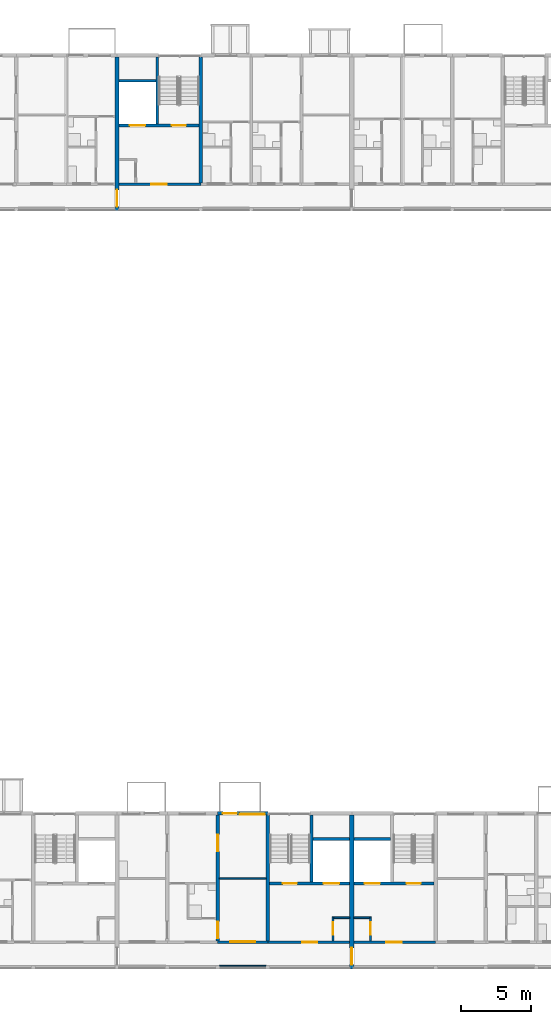
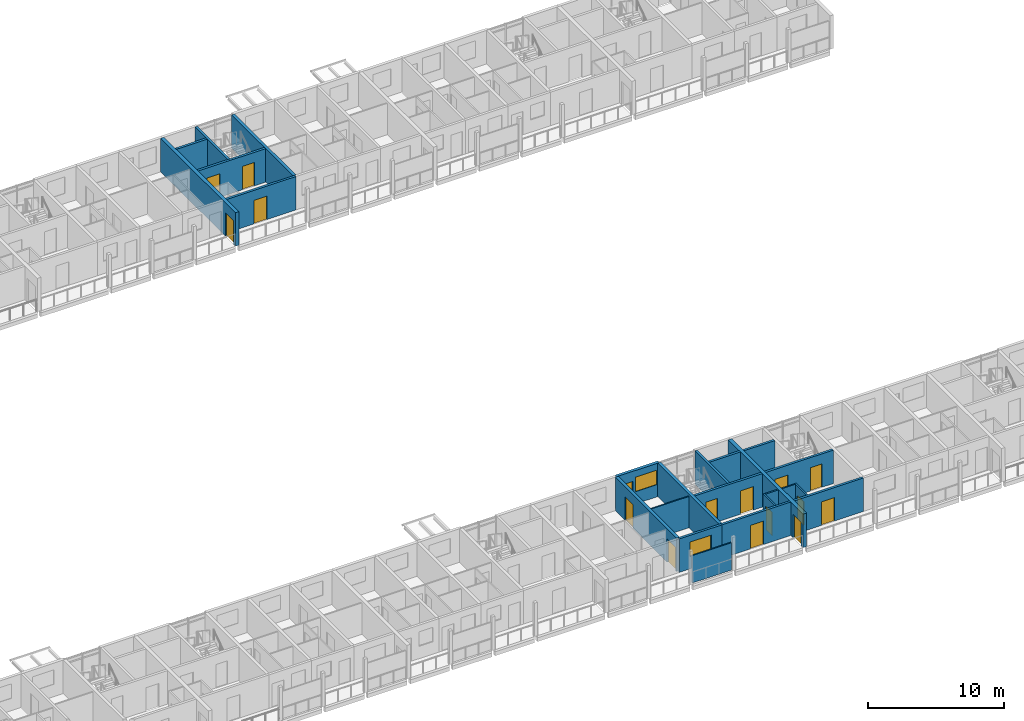
# One storey, part 54 of 100: 24 walls, 16 doors, 2 windows, 18 openings.
"""IFC4 building model written with IfcOpenShell, lengths in metres."""

from ifc_helpers import new_model, si_unit, direction, frame, frame_2d, origin, place, context, subcontext, project, spatial, rectangle, extrude, material, layer, layer_set, type_object, element, fill, save


model = new_model("IFC4")

# Units and contexts
model_context = context("Model", 3, precision=1e-05, world=origin(), true_north=direction((0.0, 1.0)))
body_context = subcontext(model_context, "Body", "Model", "MODEL_VIEW")
ifc_project = project(units=[si_unit("LENGTHUNIT", "METRE"), si_unit("AREAUNIT", "SQUARE_METRE"), si_unit("VOLUMEUNIT", "CUBIC_METRE"), si_unit("PLANEANGLEUNIT", "RADIAN"), si_unit("MASSUNIT", "GRAM", prefix="KILO")], contexts=[model_context])

# Site, building, storey
site_placement = place(None, origin())
site = spatial("IfcSite", under=ifc_project, at=site_placement, CompositionType="ELEMENT")
building_placement = place(site_placement, origin())
building = spatial("IfcBuilding", under=site, at=building_placement, Name="Ridgestep Commons", CompositionType="ELEMENT")
storey_placement = place(building_placement, frame((0.0, 0.0, 9.0)))
storey = spatial("IfcBuildingStorey", under=building, at=storey_placement, Name="L03", CompositionType="ELEMENT", Elevation=9.0)

# Walls
ifc_material_1 = material(Name="Concrete C30/37", Category="concrete")
ifc_layer_1 = layer(ifc_material_1, 0.25)
ifc_layer_set_1 = layer_set([ifc_layer_1], Name="Core cross wall 250")
wall_type_1 = type_object("IfcWallType", Name="Core cross wall 250", PredefinedType="SHEAR", material=ifc_layer_set_1)
for number, where, z_axis, x_axis, name in (
    (1, (203.199951171875, 68.0, 0.0), (0.0, 0.0, 1.0), (0.0, 1.0, 0.0), "Cross wall C-03-2032"),
    (2, (208.0, 13.75, 0.0), (0.0, 0.0, 1.0), (0.0, 1.0, 0.0), "Cross wall D-03-2080"),
):
    element("IfcWall", number, at=place(storey_placement, frame(where, z_axis=z_axis, x_axis=x_axis)), inside=storey, type_object=wall_type_1, Name=name, PredefinedType="SHEAR", context=body_context, shape_type="SweptSolid", body=[
        extrude(rectangle(XDim=9.0, YDim=0.25, at=frame_2d((4.5, 0.0))), origin(), (0.0, 0.0, 1.0), 3.0),
    ])

# Wall, opening, door
ifc_material_2 = material(Name="Concrete C30/37", Category="concrete")
ifc_layer_2 = layer(ifc_material_2, 0.199951171875)
ifc_layer_set_2 = layer_set([ifc_layer_2], Name="Core south wall 200")
wall_type_2 = type_object("IfcWallType", Name="Core south wall 200", PredefinedType="SHEAR", material=ifc_layer_set_2)
wall_1_placement = place(storey_placement, frame((197.35009765625, 67.89990234375, 0.0), z_axis=(0.0, 0.0, 1.0), x_axis=(1.0, 0.0, 0.0)))
wall_1 = element("IfcWall", 3, at=wall_1_placement, inside=storey, type_object=wall_type_2, Name="Core south wall C4C L03", PredefinedType="SHEAR", context=body_context, shape_type="SweptSolid", body=[
    extrude(rectangle(XDim=5.849853515625, YDim=0.199951171875, at=frame_2d((2.9248046875, 0.0))), origin(), (0.0, 0.0, 1.0), 3.0),
])
opening_1_placement = place(wall_1_placement, frame((2.3125, 0.0, 0.0)))
opening_1 = element("IfcOpeningElement", 4, at=opening_1_placement, cuts=wall_1, Name="Opening C4C/03/1", PredefinedType="OPENING", context=body_context, shape_type="SweptSolid", body=[
    extrude(rectangle(XDim=1.10009765625, YDim=2.10009765625, at=frame_2d((0.550048828125, 1.050048828125))), frame((0.0, 0.10986328125, 0.0), z_axis=(0.0, -1.0, 0.0), x_axis=(1.0, 0.0, 0.0)), (0.0, 0.0, 1.0), 0.219970703125),
])
ifc_material_3 = material(Name="Steel fire door", Category="steel")
door_type_1 = type_object("IfcDoorType", Name="Lobby door 1100 x 2100 FD60", OperationType="NOTDEFINED", PredefinedType="DOOR", material=ifc_material_3)
door_1_placement = place(opening_1_placement, origin())
door_1 = element("IfcDoor", 5, at=door_1_placement, inside=storey, type_object=door_type_1, Name="Lobby door C4C/03/1", OperationType="SINGLE_SWING_LEFT", OverallHeight=2.10009765625, OverallWidth=1.10009765625, PredefinedType="DOOR", context=body_context, shape_type="SweptSolid", body=[
    extrude(rectangle(XDim=1.10009765625, YDim=2.10009765625, at=frame_2d((0.550048828125, 1.050048828125))), frame((0.0, 0.02490234375, 0.0), z_axis=(0.0, -1.0, 0.0), x_axis=(1.0, 0.0, 0.0)), (0.0, 0.0, 1.0), 0.050048828125),
])
fill(opening_1, door_1)

wall_2_placement = place(storey_placement, frame((208.0, 13.64990234375, 0.0), z_axis=(0.0, 0.0, 1.0), x_axis=(1.0, 0.0, 0.0)))
wall_2 = element("IfcWall", 6, at=wall_2_placement, inside=storey, type_object=wall_type_2, Name="Core south wall D4C L03", PredefinedType="SHEAR", context=body_context, shape_type="SweptSolid", body=[
    extrude(rectangle(XDim=5.85009765625, YDim=0.199951171875, at=frame_2d((2.925048828125, 0.0))), origin(), (0.0, 0.0, 1.0), 3.0),
])
opening_2_placement = place(wall_2_placement, frame((2.4375, 0.0, 0.0)))
opening_2 = element("IfcOpeningElement", 7, at=opening_2_placement, cuts=wall_2, Name="Opening D4C/03/1", PredefinedType="OPENING", context=body_context, shape_type="SweptSolid", body=[
    extrude(rectangle(XDim=1.10009765625, YDim=2.10009765625, at=frame_2d((0.550048828125, 1.050048828125))), frame((0.0, 0.10986328125, 0.0), z_axis=(0.0, -1.0, 0.0), x_axis=(1.0, 0.0, 0.0)), (0.0, 0.0, 1.0), 0.219970703125),
])
door_2_placement = place(opening_2_placement, origin())
door_2 = element("IfcDoor", 8, at=door_2_placement, inside=storey, type_object=door_type_1, Name="Lobby door D4C/03/1", OperationType="SINGLE_SWING_LEFT", OverallHeight=2.10009765625, OverallWidth=1.10009765625, PredefinedType="DOOR", context=body_context, shape_type="SweptSolid", body=[
    extrude(rectangle(XDim=1.10009765625, YDim=2.10009765625, at=frame_2d((0.550048828125, 1.050048828125))), frame((0.0, 0.02490234375, 0.0), z_axis=(0.0, -1.0, 0.0), x_axis=(1.0, 0.0, 0.0)), (0.0, 0.0, 1.0), 0.050048828125),
])
fill(opening_2, door_2)

wall_3_placement = place(storey_placement, frame((214.14990234375, 13.64990234375, 0.0), z_axis=(0.0, 0.0, 1.0), x_axis=(1.0, 0.0, 0.0)))
wall_3 = element("IfcWall", 9, at=wall_3_placement, inside=storey, type_object=wall_type_2, Name="Core south wall D5C L03", PredefinedType="SHEAR", context=body_context, shape_type="SweptSolid", body=[
    extrude(rectangle(XDim=5.85009765625, YDim=0.199951171875, at=frame_2d((2.925048828125, 0.0))), origin(), (0.0, 0.0, 1.0), 3.0),
])
opening_3_placement = place(wall_3_placement, frame((2.3125, 0.0, 0.0)))
opening_3 = element("IfcOpeningElement", 10, at=opening_3_placement, cuts=wall_3, Name="Opening D5C/03/1", PredefinedType="OPENING", context=body_context, shape_type="SweptSolid", body=[
    extrude(rectangle(XDim=1.10009765625, YDim=2.10009765625, at=frame_2d((0.550048828125, 1.050048828125))), frame((0.0, 0.10986328125, 0.0), z_axis=(0.0, -1.0, 0.0), x_axis=(1.0, 0.0, 0.0)), (0.0, 0.0, 1.0), 0.219970703125),
])
door_3_placement = place(opening_3_placement, origin())
door_3 = element("IfcDoor", 11, at=door_3_placement, inside=storey, type_object=door_type_1, Name="Lobby door D5C/03/1", OperationType="SINGLE_SWING_LEFT", OverallHeight=2.10009765625, OverallWidth=1.10009765625, PredefinedType="DOOR", context=body_context, shape_type="SweptSolid", body=[
    extrude(rectangle(XDim=1.10009765625, YDim=2.10009765625, at=frame_2d((0.550048828125, 1.050048828125))), frame((0.0, 0.02490234375, 0.0), z_axis=(0.0, -1.0, 0.0), x_axis=(1.0, 0.0, 0.0)), (0.0, 0.0, 1.0), 0.050048828125),
])
fill(opening_3, door_3)

ifc_material_4 = material(Name="Concrete C30/37", Category="concrete")
ifc_layer_3 = layer(ifc_material_4, 0.1201171875)
ifc_layer_set_3 = layer_set([ifc_layer_3], Name="Core wall 120")
wall_type_3 = type_object("IfcWallType", Name="Core wall 120", PredefinedType="SHEAR", material=ifc_layer_set_3)
wall_4_placement = place(storey_placement, frame((212.659912109375, 13.75, 0.0), z_axis=(0.0, 0.0, 1.0), x_axis=(0.0, 1.0, 0.0)))
wall_4 = element("IfcWall", 12, at=wall_4_placement, inside=storey, type_object=wall_type_3, Name="Core riser w wall D4C L03", PredefinedType="SHEAR", context=body_context, shape_type="SweptSolid", body=[
    extrude(rectangle(XDim=1.719970703125, YDim=0.1201171875, at=frame_2d((0.85986328125, 0.0))), origin(), (0.0, 0.0, 1.0), 3.0),
])
opening_4_placement = place(wall_4_placement, frame((0.449951171875, 0.0, 0.0)))
opening_4 = element("IfcOpeningElement", 13, at=opening_4_placement, cuts=wall_4, Name="Opening D4C/03/4", PredefinedType="OPENING", context=body_context, shape_type="SweptSolid", body=[
    extrude(rectangle(XDim=0.89990234375, YDim=2.10009765625, at=frame_2d((0.449951171875, 1.050048828125))), frame((0.0, 0.070068359375, 0.0), z_axis=(0.0, -1.0, 0.0), x_axis=(1.0, 0.0, 0.0)), (0.0, 0.0, 1.0), 0.14013671875),
])
ifc_material_5 = material(Name="Steel fire door", Category="steel")
door_type_2 = type_object("IfcDoorType", Name="Riser door 900 x 2100 FD60", OperationType="NOTDEFINED", PredefinedType="DOOR", material=ifc_material_5)
door_4_placement = place(opening_4_placement, origin())
door_4 = element("IfcDoor", 14, at=door_4_placement, inside=storey, type_object=door_type_2, Name="Riser door D4C/03/4", OperationType="SINGLE_SWING_LEFT", OverallHeight=2.10009765625, OverallWidth=0.89990234375, PredefinedType="DOOR", context=body_context, shape_type="SweptSolid", body=[
    extrude(rectangle(XDim=0.89990234375, YDim=2.10009765625, at=frame_2d((0.449951171875, 1.050048828125))), frame((0.0, 0.02490234375, 0.0), z_axis=(0.0, -1.0, 0.0), x_axis=(1.0, 0.0, 0.0)), (0.0, 0.0, 1.0), 0.050048828125),
])
fill(opening_4, door_4)

# Wall
wall_5_placement = place(storey_placement, frame((212.719970703125, 15.409912109375, 0.0), z_axis=(0.0, 0.0, 1.0), x_axis=(1.0, 0.0, 0.0)))
element("IfcWall", 15, at=wall_5_placement, inside=storey, type_object=wall_type_3, Name="Core riser n wall D4C L03", PredefinedType="SHEAR", context=body_context, shape_type="SweptSolid", body=[
    extrude(rectangle(XDim=1.130126953125, YDim=0.1201171875, at=frame_2d((0.56494140625, 0.0))), origin(), (0.0, 0.0, 1.0), 3.0),
])

# Wall, opening, door
wall_6_placement = place(storey_placement, frame((215.340087890625, 13.75, 0.0), z_axis=(0.0, 0.0, 1.0), x_axis=(0.0, 1.0, 0.0)))
wall_6 = element("IfcWall", 16, at=wall_6_placement, inside=storey, type_object=wall_type_3, Name="Core riser w wall D5C L03", PredefinedType="SHEAR", context=body_context, shape_type="SweptSolid", body=[
    extrude(rectangle(XDim=1.719970703125, YDim=0.1201171875, at=frame_2d((0.85986328125, 0.0))), origin(), (0.0, 0.0, 1.0), 3.0),
])
opening_5_placement = place(wall_6_placement, frame((0.449951171875, 0.0, 0.0)))
opening_5 = element("IfcOpeningElement", 17, at=opening_5_placement, cuts=wall_6, Name="Opening D5C/03/4", PredefinedType="OPENING", context=body_context, shape_type="SweptSolid", body=[
    extrude(rectangle(XDim=0.89990234375, YDim=2.10009765625, at=frame_2d((0.449951171875, 1.050048828125))), frame((0.0, 0.070068359375, 0.0), z_axis=(0.0, -1.0, 0.0), x_axis=(1.0, 0.0, 0.0)), (0.0, 0.0, 1.0), 0.14013671875),
])
door_5_placement = place(opening_5_placement, origin())
door_5 = element("IfcDoor", 18, at=door_5_placement, inside=storey, type_object=door_type_2, Name="Riser door D5C/03/4", OperationType="SINGLE_SWING_RIGHT", OverallHeight=2.10009765625, OverallWidth=0.89990234375, PredefinedType="DOOR", context=body_context, shape_type="SweptSolid", body=[
    extrude(rectangle(XDim=0.89990234375, YDim=2.10009765625, at=frame_2d((0.449951171875, 1.050048828125))), frame((0.0, 0.02490234375, 0.0), z_axis=(0.0, -1.0, 0.0), x_axis=(1.0, 0.0, 0.0)), (0.0, 0.0, 1.0), 0.050048828125),
])
fill(opening_5, door_5)

# Wall
wall_7_placement = place(storey_placement, frame((214.14990234375, 15.409912109375, 0.0), z_axis=(0.0, 0.0, 1.0), x_axis=(1.0, 0.0, 0.0)))
element("IfcWall", 19, at=wall_7_placement, inside=storey, type_object=wall_type_3, Name="Core riser n wall D5C L03", PredefinedType="SHEAR", context=body_context, shape_type="SweptSolid", body=[
    extrude(rectangle(XDim=1.130126953125, YDim=0.1201171875, at=frame_2d((0.56494140625, 0.0))), origin(), (0.0, 0.0, 1.0), 3.0),
])

# Wall, openings, doors
ifc_material_6 = material(Name="Concrete C30/37", Category="concrete")
ifc_layer_4 = layer(ifc_material_6, 0.199951171875)
ifc_layer_set_4 = layer_set([ifc_layer_4], Name="Core wall 200")
wall_type_4 = type_object("IfcWallType", Name="Core wall 200", PredefinedType="SHEAR", material=ifc_layer_set_4)
wall_8_placement = place(storey_placement, frame((197.35009765625, 72.10009765625, 0.0), z_axis=(0.0, 0.0, 1.0), x_axis=(1.0, 0.0, 0.0)))
wall_8 = element("IfcWall", 20, at=wall_8_placement, inside=storey, type_object=wall_type_4, Name="Core lobby wall C4C L03", PredefinedType="SHEAR", context=body_context, shape_type="SweptSolid", body=[
    extrude(rectangle(XDim=5.724853515625, YDim=0.199951171875, at=frame_2d((2.8623046875, 0.0))), origin(), (0.0, 0.0, 1.0), 3.0),
])
opening_6_placement = place(wall_8_placement, frame((3.77490234375, 0.0, 0.0)))
opening_6 = element("IfcOpeningElement", 21, at=opening_6_placement, cuts=wall_8, Name="Opening C4C/03/2", PredefinedType="OPENING", context=body_context, shape_type="SweptSolid", body=[
    extrude(rectangle(XDim=1.0, YDim=2.10009765625, at=frame_2d((0.5, 1.050048828125))), frame((0.0, 0.10986328125, 0.0), z_axis=(0.0, -1.0, 0.0), x_axis=(1.0, 0.0, 0.0)), (0.0, 0.0, 1.0), 0.219970703125),
])
opening_7_placement = place(wall_8_placement, frame((0.762451171875, 0.0, 0.0)))
opening_7 = element("IfcOpeningElement", 22, at=opening_7_placement, cuts=wall_8, Name="Opening C4C/03/3", PredefinedType="OPENING", context=body_context, shape_type="SweptSolid", body=[
    extrude(rectangle(XDim=1.10009765625, YDim=2.10009765625, at=frame_2d((0.550048828125, 1.050048828125))), frame((0.0, 0.10986328125, 0.0), z_axis=(0.0, -1.0, 0.0), x_axis=(1.0, 0.0, 0.0)), (0.0, 0.0, 1.0), 0.219970703125),
])
ifc_material_7 = material(Name="Stainless steel", Category="steel")
door_type_3 = type_object("IfcDoorType", Name="Lift landing door 1100 x 2100 FD60", OperationType="DOUBLE_DOOR_SLIDING", PredefinedType="DOOR", material=ifc_material_7)
door_6_placement = place(opening_7_placement, origin())
door_6 = element("IfcDoor", 23, at=door_6_placement, inside=storey, type_object=door_type_3, Name="Landing door LD C4C L03", OperationType="DOUBLE_DOOR_SLIDING", OverallHeight=2.10009765625, OverallWidth=1.10009765625, PredefinedType="DOOR", context=body_context, shape_type="SweptSolid", body=[
    extrude(rectangle(XDim=1.10009765625, YDim=2.10009765625, at=frame_2d((0.550048828125, 1.050048828125))), frame((0.0, 0.02490234375, 0.0), z_axis=(0.0, -1.0, 0.0), x_axis=(1.0, 0.0, 0.0)), (0.0, 0.0, 1.0), 0.050048828125),
])
fill(opening_7, door_6)
ifc_material_8 = material(Name="Steel fire door", Category="steel")
door_type_4 = type_object("IfcDoorType", Name="Stair door 1000 x 2100 FD60", OperationType="NOTDEFINED", PredefinedType="DOOR", material=ifc_material_8)
door_7_placement = place(opening_6_placement, origin())
door_7 = element("IfcDoor", 24, at=door_7_placement, inside=storey, type_object=door_type_4, Name="Stair door C4C/03/2", OperationType="SINGLE_SWING_RIGHT", OverallHeight=2.10009765625, OverallWidth=1.0, PredefinedType="DOOR", context=body_context, shape_type="SweptSolid", body=[
    extrude(rectangle(XDim=1.0, YDim=2.10009765625, at=frame_2d((0.5, 1.050048828125))), frame((0.0, 0.02490234375, 0.0), z_axis=(0.0, -1.0, 0.0), x_axis=(1.0, 0.0, 0.0)), (0.0, 0.0, 1.0), 0.050048828125),
])
fill(opening_6, door_7)

# Walls
wall_9_placement = place(storey_placement, frame((200.074951171875, 72.199951171875, 0.0), z_axis=(0.0, 0.0, 1.0), x_axis=(0.0, 1.0, 0.0)))
element("IfcWall", 25, at=wall_9_placement, inside=storey, type_object=wall_type_4, Name="Core stair wall C4C L03", PredefinedType="SHEAR", context=body_context, shape_type="SweptSolid", body=[
    extrude(rectangle(XDim=4.800048828125, YDim=0.199951171875, at=frame_2d((2.39990234375, 0.0))), origin(), (0.0, 0.0, 1.0), 3.0),
])
wall_10_placement = place(storey_placement, frame((197.35009765625, 75.300048828125, 0.0), z_axis=(0.0, 0.0, 1.0), x_axis=(1.0, 0.0, 0.0)))
element("IfcWall", 26, at=wall_10_placement, inside=storey, type_object=wall_type_4, Name="Core duct wall C4C L03", PredefinedType="SHEAR", context=body_context, shape_type="SweptSolid", body=[
    extrude(rectangle(XDim=2.625, YDim=0.199951171875, at=frame_2d((1.3125, 0.0))), origin(), (0.0, 0.0, 1.0), 3.0),
])

# Wall, openings, doors
wall_11_placement = place(storey_placement, frame((208.125, 17.85009765625, 0.0), z_axis=(0.0, 0.0, 1.0), x_axis=(1.0, 0.0, 0.0)))
wall_11 = element("IfcWall", 27, at=wall_11_placement, inside=storey, type_object=wall_type_4, Name="Core lobby wall D4C L03", PredefinedType="SHEAR", context=body_context, shape_type="SweptSolid", body=[
    extrude(rectangle(XDim=5.72509765625, YDim=0.199951171875, at=frame_2d((2.862548828125, 0.0))), origin(), (0.0, 0.0, 1.0), 3.0),
])
opening_8_placement = place(wall_11_placement, frame((0.949951171875, 0.0, 0.0)))
opening_8 = element("IfcOpeningElement", 28, at=opening_8_placement, cuts=wall_11, Name="Opening D4C/03/2", PredefinedType="OPENING", context=body_context, shape_type="SweptSolid", body=[
    extrude(rectangle(XDim=1.0, YDim=2.10009765625, at=frame_2d((0.5, 1.050048828125))), frame((0.0, 0.10986328125, 0.0), z_axis=(0.0, -1.0, 0.0), x_axis=(1.0, 0.0, 0.0)), (0.0, 0.0, 1.0), 0.219970703125),
])
opening_9_placement = place(wall_11_placement, frame((3.862548828125, 0.0, 0.0)))
opening_9 = element("IfcOpeningElement", 29, at=opening_9_placement, cuts=wall_11, Name="Opening D4C/03/3", PredefinedType="OPENING", context=body_context, shape_type="SweptSolid", body=[
    extrude(rectangle(XDim=1.10009765625, YDim=2.10009765625, at=frame_2d((0.550048828125, 1.050048828125))), frame((0.0, 0.10986328125, 0.0), z_axis=(0.0, -1.0, 0.0), x_axis=(1.0, 0.0, 0.0)), (0.0, 0.0, 1.0), 0.219970703125),
])
door_8_placement = place(opening_9_placement, origin())
door_8 = element("IfcDoor", 30, at=door_8_placement, inside=storey, type_object=door_type_3, Name="Landing door LD D4C L03", OperationType="DOUBLE_DOOR_SLIDING", OverallHeight=2.10009765625, OverallWidth=1.10009765625, PredefinedType="DOOR", context=body_context, shape_type="SweptSolid", body=[
    extrude(rectangle(XDim=1.10009765625, YDim=2.10009765625, at=frame_2d((0.550048828125, 1.050048828125))), frame((0.0, 0.02490234375, 0.0), z_axis=(0.0, -1.0, 0.0), x_axis=(1.0, 0.0, 0.0)), (0.0, 0.0, 1.0), 0.050048828125),
])
fill(opening_9, door_8)
door_9_placement = place(opening_8_placement, origin())
door_9 = element("IfcDoor", 31, at=door_9_placement, inside=storey, type_object=door_type_4, Name="Stair door D4C/03/2", OperationType="SINGLE_SWING_RIGHT", OverallHeight=2.10009765625, OverallWidth=1.0, PredefinedType="DOOR", context=body_context, shape_type="SweptSolid", body=[
    extrude(rectangle(XDim=1.0, YDim=2.10009765625, at=frame_2d((0.5, 1.050048828125))), frame((0.0, 0.02490234375, 0.0), z_axis=(0.0, -1.0, 0.0), x_axis=(1.0, 0.0, 0.0)), (0.0, 0.0, 1.0), 0.050048828125),
])
fill(opening_8, door_9)

# Walls
wall_12_placement = place(storey_placement, frame((211.125, 17.949951171875, 0.0), z_axis=(0.0, 0.0, 1.0), x_axis=(0.0, 1.0, 0.0)))
element("IfcWall", 32, at=wall_12_placement, inside=storey, type_object=wall_type_4, Name="Core stair wall D4C L03", PredefinedType="SHEAR", context=body_context, shape_type="SweptSolid", body=[
    extrude(rectangle(XDim=4.800048828125, YDim=0.199951171875, at=frame_2d((2.39990234375, 0.0))), origin(), (0.0, 0.0, 1.0), 3.0),
])
wall_13_placement = place(storey_placement, frame((211.22509765625, 21.050048828125, 0.0), z_axis=(0.0, 0.0, 1.0), x_axis=(1.0, 0.0, 0.0)))
element("IfcWall", 33, at=wall_13_placement, inside=storey, type_object=wall_type_4, Name="Core duct wall D4C L03", PredefinedType="SHEAR", context=body_context, shape_type="SweptSolid", body=[
    extrude(rectangle(XDim=2.625, YDim=0.199951171875, at=frame_2d((1.3125, 0.0))), origin(), (0.0, 0.0, 1.0), 3.0),
])

# Wall, openings, doors
wall_14_placement = place(storey_placement, frame((214.14990234375, 17.85009765625, 0.0), z_axis=(0.0, 0.0, 1.0), x_axis=(1.0, 0.0, 0.0)))
wall_14 = element("IfcWall", 34, at=wall_14_placement, inside=storey, type_object=wall_type_4, Name="Core lobby wall D5C L03", PredefinedType="SHEAR", context=body_context, shape_type="SweptSolid", body=[
    extrude(rectangle(XDim=5.72509765625, YDim=0.199951171875, at=frame_2d((2.862548828125, 0.0))), origin(), (0.0, 0.0, 1.0), 3.0),
])
opening_10_placement = place(wall_14_placement, frame((3.77490234375, 0.0, 0.0)))
opening_10 = element("IfcOpeningElement", 35, at=opening_10_placement, cuts=wall_14, Name="Opening D5C/03/2", PredefinedType="OPENING", context=body_context, shape_type="SweptSolid", body=[
    extrude(rectangle(XDim=1.0, YDim=2.10009765625, at=frame_2d((0.5, 1.050048828125))), frame((0.0, 0.10986328125, 0.0), z_axis=(0.0, -1.0, 0.0), x_axis=(1.0, 0.0, 0.0)), (0.0, 0.0, 1.0), 0.219970703125),
])
opening_11_placement = place(wall_14_placement, frame((0.762451171875, 0.0, 0.0)))
opening_11 = element("IfcOpeningElement", 36, at=opening_11_placement, cuts=wall_14, Name="Opening D5C/03/3", PredefinedType="OPENING", context=body_context, shape_type="SweptSolid", body=[
    extrude(rectangle(XDim=1.10009765625, YDim=2.10009765625, at=frame_2d((0.550048828125, 1.050048828125))), frame((0.0, 0.10986328125, 0.0), z_axis=(0.0, -1.0, 0.0), x_axis=(1.0, 0.0, 0.0)), (0.0, 0.0, 1.0), 0.219970703125),
])
door_10_placement = place(opening_11_placement, origin())
door_10 = element("IfcDoor", 37, at=door_10_placement, inside=storey, type_object=door_type_3, Name="Landing door LD D5C L03", OperationType="DOUBLE_DOOR_SLIDING", OverallHeight=2.10009765625, OverallWidth=1.10009765625, PredefinedType="DOOR", context=body_context, shape_type="SweptSolid", body=[
    extrude(rectangle(XDim=1.10009765625, YDim=2.10009765625, at=frame_2d((0.550048828125, 1.050048828125))), frame((0.0, 0.02490234375, 0.0), z_axis=(0.0, -1.0, 0.0), x_axis=(1.0, 0.0, 0.0)), (0.0, 0.0, 1.0), 0.050048828125),
])
fill(opening_11, door_10)
door_11_placement = place(opening_10_placement, origin())
door_11 = element("IfcDoor", 38, at=door_11_placement, inside=storey, type_object=door_type_4, Name="Stair door D5C/03/2", OperationType="SINGLE_SWING_RIGHT", OverallHeight=2.10009765625, OverallWidth=1.0, PredefinedType="DOOR", context=body_context, shape_type="SweptSolid", body=[
    extrude(rectangle(XDim=1.0, YDim=2.10009765625, at=frame_2d((0.5, 1.050048828125))), frame((0.0, 0.02490234375, 0.0), z_axis=(0.0, -1.0, 0.0), x_axis=(1.0, 0.0, 0.0)), (0.0, 0.0, 1.0), 0.050048828125),
])
fill(opening_10, door_11)

# Wall
wall_15_placement = place(storey_placement, frame((214.14990234375, 21.050048828125, 0.0), z_axis=(0.0, 0.0, 1.0), x_axis=(1.0, 0.0, 0.0)))
element("IfcWall", 39, at=wall_15_placement, inside=storey, type_object=wall_type_4, Name="Core duct wall D5C L03", PredefinedType="SHEAR", context=body_context, shape_type="SweptSolid", body=[
    extrude(rectangle(XDim=2.625, YDim=0.199951171875, at=frame_2d((1.3125, 0.0))), origin(), (0.0, 0.0, 1.0), 3.0),
])

# Wall, openings, doors
ifc_material_9 = material(Name="Precast concrete C40/50", Category="concrete")
ifc_layer_5 = layer(ifc_material_9, 0.25)
ifc_layer_set_5 = layer_set([ifc_layer_5], Name="Cross wall 250")
wall_type_5 = type_object("IfcWallType", Name="Cross wall 250", PredefinedType="SHEAR", material=ifc_layer_set_5)
wall_16_placement = place(storey_placement, frame((204.39990234375, 13.75, 0.0), z_axis=(0.0, 0.0, 1.0), x_axis=(0.0, 1.0, 0.0)))
wall_16 = element("IfcWall", 40, at=wall_16_placement, inside=storey, type_object=wall_type_5, Name="Cross wall D-03-2044", PredefinedType="SHEAR", context=body_context, shape_type="SweptSolid", body=[
    extrude(rectangle(XDim=9.0, YDim=0.25, at=frame_2d((4.5, 0.0))), origin(), (0.0, 0.0, 1.0), 3.0),
])
opening_12_placement = place(wall_16_placement, frame((0.175048828125, 0.0, 0.0)))
opening_12 = element("IfcOpeningElement", 41, at=opening_12_placement, cuts=wall_16, Name="Opening D4-03a/6", PredefinedType="OPENING", context=body_context, shape_type="SweptSolid", body=[
    extrude(rectangle(XDim=1.199951171875, YDim=2.10009765625, at=frame_2d((0.60009765625, 1.050048828125))), frame((0.0, 0.135009765625, 0.0), z_axis=(0.0, -1.0, 0.0), x_axis=(1.0, 0.0, 0.0)), (0.0, 0.0, 1.0), 0.27001953125),
])
opening_13_placement = place(wall_16_placement, frame((6.39990234375, 0.0, 0.0)))
opening_13 = element("IfcOpeningElement", 42, at=opening_13_placement, cuts=wall_16, Name="Opening D4-03a/7", PredefinedType="OPENING", context=body_context, shape_type="SweptSolid", body=[
    extrude(rectangle(XDim=1.199951171875, YDim=2.10009765625, at=frame_2d((0.60009765625, 1.050048828125))), frame((0.0, 0.135009765625, 0.0), z_axis=(0.0, -1.0, 0.0), x_axis=(1.0, 0.0, 0.0)), (0.0, 0.0, 1.0), 0.27001953125),
])
ifc_material_10 = material(Name="Timber door leaf", Category="wood")
door_type_5 = type_object("IfcDoorType", Name="Double door 1200 x 2100", OperationType="DOUBLE_DOOR_SINGLE_SWING", PredefinedType="DOOR", material=ifc_material_10)
door_12_placement = place(opening_12_placement, origin())
door_12 = element("IfcDoor", 43, at=door_12_placement, inside=storey, type_object=door_type_5, Name="Double door D4-03a/6", OperationType="DOUBLE_DOOR_SINGLE_SWING", OverallHeight=2.10009765625, OverallWidth=1.199951171875, PredefinedType="DOOR", context=body_context, shape_type="SweptSolid", body=[
    extrude(rectangle(XDim=1.199951171875, YDim=2.10009765625, at=frame_2d((0.60009765625, 1.050048828125))), frame((0.0, 0.02490234375, 0.0), z_axis=(0.0, -1.0, 0.0), x_axis=(1.0, 0.0, 0.0)), (0.0, 0.0, 1.0), 0.050048828125),
])
fill(opening_12, door_12)
door_13_placement = place(opening_13_placement, origin())
door_13 = element("IfcDoor", 44, at=door_13_placement, inside=storey, type_object=door_type_5, Name="Double door D4-03a/7", OperationType="DOUBLE_DOOR_SINGLE_SWING", OverallHeight=2.10009765625, OverallWidth=1.199951171875, PredefinedType="DOOR", context=body_context, shape_type="SweptSolid", body=[
    extrude(rectangle(XDim=1.199951171875, YDim=2.10009765625, at=frame_2d((0.60009765625, 1.050048828125))), frame((0.0, 0.02490234375, 0.0), z_axis=(0.0, -1.0, 0.0), x_axis=(1.0, 0.0, 0.0)), (0.0, 0.0, 1.0), 0.050048828125),
])
fill(opening_13, door_13)

# Wall, opening, door
ifc_material_11 = material(Name="Precast concrete C40/50", Category="concrete")
ifc_layer_6 = layer(ifc_material_11, 0.300048828125)
ifc_layer_set_6 = layer_set([ifc_layer_6], Name="Division wall 300")
wall_type_6 = type_object("IfcWallType", Name="Division wall 300", PredefinedType="SHEAR", material=ifc_layer_set_6)
wall_17_placement = place(storey_placement, frame((197.199951171875, 66.0, 0.0), z_axis=(0.0, 0.0, 1.0), x_axis=(0.0, 1.0, 0.0)))
wall_17 = element("IfcWall", 45, at=wall_17_placement, inside=storey, type_object=wall_type_6, Name="Cross wall C-03-1972", PredefinedType="SHEAR", context=body_context, shape_type="SweptSolid", body=[
    extrude(rectangle(XDim=11.0, YDim=0.300048828125, at=frame_2d((5.5, 0.0))), origin(), (0.0, 0.0, 1.0), 3.0),
])
opening_14_placement = place(wall_17_placement, frame((0.300048828125, 0.0, 0.0)))
opening_14 = element("IfcOpeningElement", 46, at=opening_14_placement, cuts=wall_17, Name="Opening C/03/G1972", PredefinedType="OPENING", context=body_context, shape_type="SweptSolid", body=[
    extrude(rectangle(XDim=1.199951171875, YDim=2.10009765625, at=frame_2d((0.60009765625, 1.050048828125))), frame((0.0, 0.159912109375, 0.0), z_axis=(0.0, -1.0, 0.0), x_axis=(1.0, 0.0, 0.0)), (0.0, 0.0, 1.0), 0.320068359375),
])
ifc_material_12 = material(Name="Steel fire door", Category="steel")
door_type_6 = type_object("IfcDoorType", Name="Division fire door 1200 x 2100 EI 240", OperationType="DOUBLE_DOOR_SINGLE_SWING", PredefinedType="DOOR", material=ifc_material_12)
door_14_placement = place(opening_14_placement, origin())
door_14 = element("IfcDoor", 47, at=door_14_placement, inside=storey, type_object=door_type_6, Name="Division fire door C/03/G1972", OperationType="DOUBLE_DOOR_SINGLE_SWING", OverallHeight=2.10009765625, OverallWidth=1.199951171875, PredefinedType="DOOR", context=body_context, shape_type="SweptSolid", body=[
    extrude(rectangle(XDim=1.199951171875, YDim=2.10009765625, at=frame_2d((0.60009765625, 1.050048828125))), frame((0.0, 0.02490234375, 0.0), z_axis=(0.0, -1.0, 0.0), x_axis=(1.0, 0.0, 0.0)), (0.0, 0.0, 1.0), 0.050048828125),
])
fill(opening_14, door_14)

wall_18_placement = place(storey_placement, frame((214.0, 11.75, 0.0), z_axis=(0.0, 0.0, 1.0), x_axis=(0.0, 1.0, 0.0)))
wall_18 = element("IfcWall", 48, at=wall_18_placement, inside=storey, type_object=wall_type_6, Name="Cross wall D-03-2140", PredefinedType="SHEAR", context=body_context, shape_type="SweptSolid", body=[
    extrude(rectangle(XDim=11.0, YDim=0.300048828125, at=frame_2d((5.5, 0.0))), origin(), (0.0, 0.0, 1.0), 3.0),
])
opening_15_placement = place(wall_18_placement, frame((0.300048828125, 0.0, 0.0)))
opening_15 = element("IfcOpeningElement", 49, at=opening_15_placement, cuts=wall_18, Name="Opening D/03/G2140", PredefinedType="OPENING", context=body_context, shape_type="SweptSolid", body=[
    extrude(rectangle(XDim=1.199951171875, YDim=2.10009765625, at=frame_2d((0.60009765625, 1.050048828125))), frame((0.0, 0.159912109375, 0.0), z_axis=(0.0, -1.0, 0.0), x_axis=(1.0, 0.0, 0.0)), (0.0, 0.0, 1.0), 0.320068359375),
])
door_15_placement = place(opening_15_placement, origin())
door_15 = element("IfcDoor", 50, at=door_15_placement, inside=storey, type_object=door_type_6, Name="Division fire door D/03/G2140", OperationType="DOUBLE_DOOR_SINGLE_SWING", OverallHeight=2.10009765625, OverallWidth=1.199951171875, PredefinedType="DOOR", context=body_context, shape_type="SweptSolid", body=[
    extrude(rectangle(XDim=1.199951171875, YDim=2.10009765625, at=frame_2d((0.60009765625, 1.050048828125))), frame((0.0, 0.02490234375, 0.0), z_axis=(0.0, -1.0, 0.0), x_axis=(1.0, 0.0, 0.0)), (0.0, 0.0, 1.0), 0.050048828125),
])
fill(opening_15, door_15)

# Wall, openings, door, window
ifc_material_13 = material(Name="Precast concrete C40/50", Category="concrete")
ifc_layer_7 = layer(ifc_material_13, 0.25)
ifc_layer_set_7 = layer_set([ifc_layer_7], Name="North facade panel 250")
wall_type_7 = type_object("IfcWallType", Name="North facade panel 250", PredefinedType="SOLIDWALL", material=ifc_layer_set_7)
wall_19_placement = place(storey_placement, frame((204.39990234375, 22.875, 0.0), z_axis=(0.0, 0.0, 1.0), x_axis=(1.0, 0.0, 0.0)))
wall_19 = element("IfcWall", 51, at=wall_19_placement, inside=storey, type_object=wall_type_7, Name="North panel D4T3 L03", PredefinedType="SOLIDWALL", context=body_context, shape_type="SweptSolid", body=[
    extrude(rectangle(XDim=3.60009765625, YDim=0.25, at=frame_2d((1.800048828125, 0.0))), origin(), (0.0, 0.0, 1.0), 3.0),
])
opening_16_placement = place(wall_19_placement, frame((1.572021484375, 0.0, 1.10009765625)))
opening_16 = element("IfcOpeningElement", 52, at=opening_16_placement, cuts=wall_19, Name="Opening W18", PredefinedType="OPENING", context=body_context, shape_type="SweptSolid", body=[
    extrude(rectangle(XDim=1.800048828125, YDim=1.300048828125, at=frame_2d((0.89990234375, 0.64990234375))), frame((0.0, 0.135009765625, 0.0), z_axis=(0.0, -1.0, 0.0), x_axis=(1.0, 0.0, 0.0)), (0.0, 0.0, 1.0), 0.27001953125),
])
opening_17_placement = place(wall_19_placement, frame((0.368896484375, 0.0, 0.0)))
opening_17 = element("IfcOpeningElement", 53, at=opening_17_placement, cuts=wall_19, Name="Opening D4-03a/9", PredefinedType="OPENING", context=body_context, shape_type="SweptSolid", body=[
    extrude(rectangle(XDim=1.0, YDim=2.10009765625, at=frame_2d((0.5, 1.050048828125))), frame((0.0, 0.135009765625, 0.0), z_axis=(0.0, -1.0, 0.0), x_axis=(1.0, 0.0, 0.0)), (0.0, 0.0, 1.0), 0.27001953125),
])
ifc_material_14 = material(Name="Aluminium and glass", Category="aluminium")
door_type_7 = type_object("IfcDoorType", Name="Balcony door 1000 x 2100", OperationType="NOTDEFINED", PredefinedType="DOOR", material=ifc_material_14)
door_16_placement = place(opening_17_placement, origin())
door_16 = element("IfcDoor", 54, at=door_16_placement, inside=storey, type_object=door_type_7, Name="Balcony door D4-03a/9", OperationType="SINGLE_SWING_RIGHT", OverallHeight=2.10009765625, OverallWidth=1.0, PredefinedType="DOOR", context=body_context, shape_type="SweptSolid", body=[
    extrude(rectangle(XDim=1.0, YDim=2.10009765625, at=frame_2d((0.5, 1.050048828125))), frame((0.0, 0.02490234375, 0.0), z_axis=(0.0, -1.0, 0.0), x_axis=(1.0, 0.0, 0.0)), (0.0, 0.0, 1.0), 0.050048828125),
])
fill(opening_17, door_16)
ifc_material_15 = material(Name="Aluminium 6063-T6 and glass", Category="aluminium")
window_type = type_object("IfcWindowType", Name="Flat window 1800 x 1300", PartitioningType="DOUBLE_PANEL_VERTICAL", PredefinedType="WINDOW", material=ifc_material_15)
window_1_placement = place(opening_16_placement, origin())
window_1 = element("IfcWindow", 55, at=window_1_placement, inside=storey, type_object=window_type, Name="Window D4-03a 4", OverallHeight=1.300048828125, OverallWidth=1.800048828125, PartitioningType="SINGLE_PANEL", PredefinedType="WINDOW", context=body_context, shape_type="SweptSolid", body=[
    extrude(rectangle(XDim=1.800048828125, YDim=1.300048828125, at=frame_2d((0.89990234375, 0.64990234375))), frame((0.0, -0.02490234375, 0.0), z_axis=(0.0, -1.0, 0.0), x_axis=(1.0, 0.0, 0.0)), (0.0, 0.0, 1.0), 0.06005859375),
])
fill(opening_16, window_1)

# Walls
ifc_material_16 = material(Name="Common brick 110 mm", Category="masonry")
ifc_layer_8 = layer(ifc_material_16, 0.110107421875)
ifc_layer_set_8 = layer_set([ifc_layer_8], Name="Partition 110")
wall_type_8 = type_object("IfcWallType", Name="Partition 110", PredefinedType="PARTITIONING", material=ifc_layer_set_8)
wall_20_placement = place(storey_placement, frame((204.52490234375, 18.205078125, 0.0), z_axis=(0.0, 0.0, 1.0), x_axis=(1.0, 0.0, 0.0)))
element("IfcWall", 56, at=wall_20_placement, inside=storey, type_object=wall_type_8, Name="Partition D4-03a", PredefinedType="PARTITIONING", context=body_context, shape_type="SweptSolid", body=[
    extrude(rectangle(XDim=3.35009765625, YDim=0.110107421875, at=frame_2d((1.675048828125, 0.0))), origin(), (0.0, 0.0, 1.0), 2.800048828125),
])
ifc_material_17 = material(Name="Precast concrete C30/37", Category="concrete")
ifc_layer_9 = layer(ifc_material_17, 0.10009765625)
ifc_layer_set_9 = layer_set([ifc_layer_9], Name="Perforated gallery screen 3350 x 2450 x 100")
wall_type_9 = type_object("IfcWallType", Name="Perforated gallery screen 3350 x 2450 x 100", PredefinedType="SOLIDWALL", material=ifc_layer_set_9)
wall_21_placement = place(storey_placement, frame((204.52490234375, 11.949951171875, 0.0), z_axis=(0.0, 0.0, 1.0), x_axis=(1.0, 0.0, 0.0)))
element("IfcWall", 57, at=wall_21_placement, inside=storey, type_object=wall_type_9, Name="Gallery screen D4T3 03", PredefinedType="SOLIDWALL", context=body_context, shape_type="SweptSolid", body=[
    extrude(rectangle(XDim=3.35009765625, YDim=0.10009765625, at=frame_2d((1.675048828125, 0.0))), origin(), (0.0, 0.0, 1.0), 2.449951171875),
])

# Wall, opening, window
ifc_material_18 = material(Name="Precast concrete C40/50", Category="concrete")
ifc_layer_10 = layer(ifc_material_18, 0.199951171875)
ifc_layer_set_10 = layer_set([ifc_layer_10], Name="South facade panel 200")
wall_type_10 = type_object("IfcWallType", Name="South facade panel 200", PredefinedType="SOLIDWALL", material=ifc_layer_set_10)
wall_22_placement = place(storey_placement, frame((204.39990234375, 13.64990234375, 0.0), z_axis=(0.0, 0.0, 1.0), x_axis=(1.0, 0.0, 0.0)))
wall_22 = element("IfcWall", 58, at=wall_22_placement, inside=storey, type_object=wall_type_10, Name="South panel D4T3 L03", PredefinedType="SOLIDWALL", context=body_context, shape_type="SweptSolid", body=[
    extrude(rectangle(XDim=3.60009765625, YDim=0.199951171875, at=frame_2d((1.800048828125, 0.0))), origin(), (0.0, 0.0, 1.0), 3.0),
])
opening_18_placement = place(wall_22_placement, frame((0.89990234375, 0.0, 1.10009765625)))
opening_18 = element("IfcOpeningElement", 59, at=opening_18_placement, cuts=wall_22, Name="Opening W18", PredefinedType="OPENING", context=body_context, shape_type="SweptSolid", body=[
    extrude(rectangle(XDim=1.800048828125, YDim=1.300048828125, at=frame_2d((0.89990234375, 0.64990234375))), frame((0.0, 0.10986328125, 0.0), z_axis=(0.0, -1.0, 0.0), x_axis=(1.0, 0.0, 0.0)), (0.0, 0.0, 1.0), 0.219970703125),
])
window_2_placement = place(opening_18_placement, origin())
window_2 = element("IfcWindow", 60, at=window_2_placement, inside=storey, type_object=window_type, Name="Window D4-03a 3", OverallHeight=1.300048828125, OverallWidth=1.800048828125, PartitioningType="SINGLE_PANEL", PredefinedType="WINDOW", context=body_context, shape_type="SweptSolid", body=[
    extrude(rectangle(XDim=1.800048828125, YDim=1.300048828125, at=frame_2d((0.89990234375, 0.64990234375))), frame((0.0, 0.06005859375, 0.0), z_axis=(0.0, -1.0, 0.0), x_axis=(1.0, 0.0, 0.0)), (0.0, 0.0, 1.0), 0.06005859375),
])
fill(opening_18, window_2)

save(model, "model.ifc")
